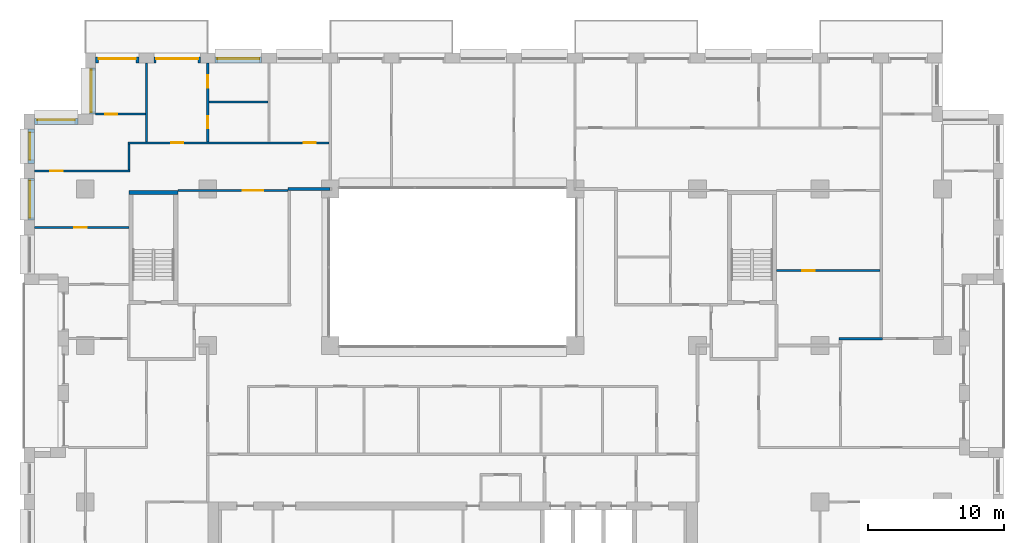
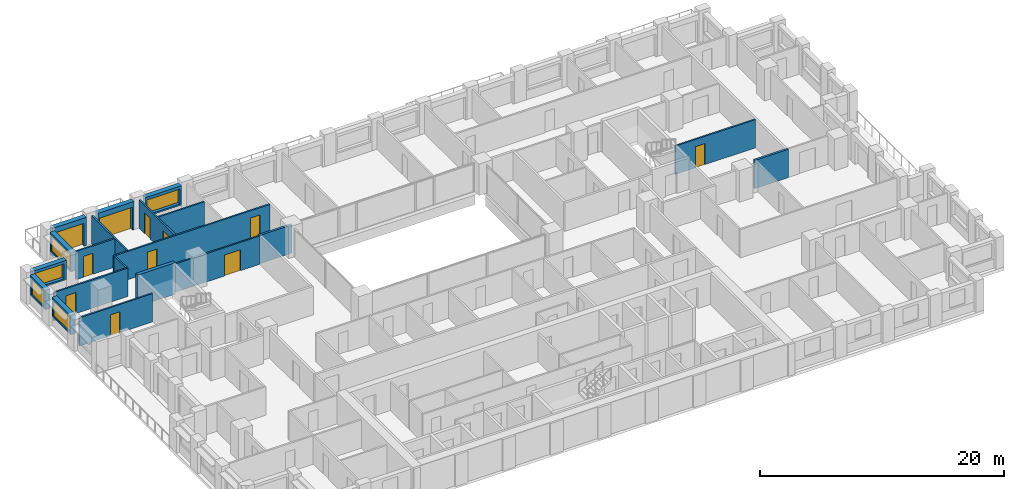
# One storey, part 12 of 16: 20 walls, 11 doors, 5 windows, 16 openings.
"""IFC4 building model written with IfcOpenShell, lengths in metres."""

from ifc_helpers import new_model, si_unit, direction, frame, frame_2d, origin, place, context, subcontext, project, spatial, rectangle, extrude, material, layer, layer_set, type_object, element, fill, save


model = new_model("IFC4")

# Units and contexts
model_context = context("Model", 3, precision=1e-05, world=origin(), true_north=direction((0.0, 1.0)))
body_context = subcontext(model_context, "Body", "Model", "MODEL_VIEW")
ifc_project = project(units=[si_unit("LENGTHUNIT", "METRE"), si_unit("AREAUNIT", "SQUARE_METRE"), si_unit("VOLUMEUNIT", "CUBIC_METRE"), si_unit("PLANEANGLEUNIT", "RADIAN"), si_unit("MASSUNIT", "GRAM", prefix="KILO")], contexts=[model_context])

# Site, building, storey
site_placement = place(None, origin())
site = spatial("IfcSite", under=ifc_project, at=site_placement, CompositionType="ELEMENT")
building_placement = place(site_placement, origin())
building = spatial("IfcBuilding", under=site, at=building_placement, Name="Brigalow Station Residences", CompositionType="ELEMENT")
storey_placement = place(building_placement, frame((0.0, 0.0, 93.0)))
storey = spatial("IfcBuildingStorey", under=building, at=storey_placement, Name="L26", CompositionType="ELEMENT", Elevation=93.0)

# Wall, opening, window
ifc_material_1 = material(Name="Clay brick masonry", Category="masonry")
ifc_layer_1 = layer(ifc_material_1, 0.449951171875)
ifc_layer_set_1 = layer_set([ifc_layer_1], Name="BRICK INFILL WALL 450")
wall_type_1 = type_object("IfcWallType", Name="BRICK INFILL WALL 450", PredefinedType="SOLIDWALL", material=ifc_layer_set_1)
wall_1_placement = place(storey_placement, frame((21.949951171875, 44.97509765625, 0.89990234375), z_axis=(0.0, 0.0, 1.0), x_axis=(-1.0, 0.0, 0.0)))
wall_1 = element("IfcWall", 1, at=wall_1_placement, inside=storey, type_object=wall_type_1, Name="L26/ewall/W-L26-34", PredefinedType="SOLIDWALL", context=body_context, shape_type="SweptSolid", body=[
    extrude(rectangle(XDim=3.39990234375, YDim=0.449951171875, at=frame_2d((1.699951171875, 0.0))), origin(), (0.0, 0.0, 1.0), 1.93017578125),
])
opening_1_placement = place(wall_1_placement, frame((0.14990234375, 0.0, 0.14990234375)))
opening_1 = element("IfcOpeningElement", 2, at=opening_1_placement, cuts=wall_1, Name="Opening WT-8", PredefinedType="OPENING", context=body_context, shape_type="SweptSolid", body=[
    extrude(rectangle(XDim=3.10009765625, YDim=1.5, at=frame_2d((1.550048828125, 0.75))), frame((0.0, 0.23486328125, 0.0), z_axis=(0.0, -1.0, 0.0), x_axis=(1.0, 0.0, 0.0)), (0.0, 0.0, 1.0), 0.469970703125),
])
ifc_material_2 = material(Name="Anodised aluminium frame with double glazing", Category="aluminium")
window_type_1 = type_object("IfcWindowType", Name="WINDOW 3100x1500", PartitioningType="SINGLE_PANEL", PredefinedType="WINDOW", material=ifc_material_2)
window_1_placement = place(opening_1_placement, origin())
window_1 = element("IfcWindow", 3, at=window_1_placement, inside=storey, type_object=window_type_1, Name="L26/window/W-L26-34", OverallHeight=1.5, OverallWidth=3.10009765625, PartitioningType="SINGLE_PANEL", PredefinedType="WINDOW", context=body_context, shape_type="SweptSolid", body=[
    extrude(rectangle(XDim=3.10009765625, YDim=1.5, at=frame_2d((1.550048828125, 0.75))), frame((0.0, -0.06494140625, 0.0), z_axis=(0.0, -1.0, 0.0), x_axis=(1.0, 0.0, 0.0)), (0.0, 0.0, 1.0), 0.06005859375),
])
fill(opening_1, window_1)

# Wall, opening, door
wall_2_placement = place(storey_placement, frame((17.449951171875, 44.97509765625, 0.0), z_axis=(0.0, 0.0, 1.0), x_axis=(-1.0, 0.0, 0.0)))
wall_2 = element("IfcWall", 4, at=wall_2_placement, inside=storey, type_object=wall_type_1, Name="L26/ewall/W-L26-35", PredefinedType="SOLIDWALL", context=body_context, shape_type="SweptSolid", body=[
    extrude(rectangle(XDim=3.39990234375, YDim=0.449951171875, at=frame_2d((1.699951171875, 0.0))), origin(), (0.0, 0.0, 1.0), 2.830078125),
])
opening_2_placement = place(wall_2_placement, frame((0.14990234375, 0.0, 0.0)))
opening_2 = element("IfcOpeningElement", 5, at=opening_2_placement, cuts=wall_2, Name="Opening D-B3100", PredefinedType="OPENING", context=body_context, shape_type="SweptSolid", body=[
    extrude(rectangle(XDim=3.10009765625, YDim=2.300048828125, at=frame_2d((1.550048828125, 1.14990234375))), frame((0.0, 0.23486328125, 0.0), z_axis=(0.0, -1.0, 0.0), x_axis=(1.0, 0.0, 0.0)), (0.0, 0.0, 1.0), 0.469970703125),
])
ifc_material_3 = material(Name="Anodised aluminium frame with double glazing", Category="aluminium")
door_type_1 = type_object("IfcDoorType", Name="BALCONY SLIDING DOOR 3100x2300", OperationType="SLIDING_TO_LEFT", PredefinedType="DOOR", material=ifc_material_3)
door_1_placement = place(opening_2_placement, origin())
door_1 = element("IfcDoor", 6, at=door_1_placement, inside=storey, type_object=door_type_1, Name="L26/balcony-door/W-L26-35", OperationType="SLIDING_TO_LEFT", OverallHeight=2.300048828125, OverallWidth=3.10009765625, PredefinedType="DOOR", context=body_context, shape_type="SweptSolid", body=[
    extrude(rectangle(XDim=3.10009765625, YDim=2.300048828125, at=frame_2d((1.550048828125, 1.14990234375))), frame((0.0, -0.06982421875, 0.0), z_axis=(0.0, -1.0, 0.0), x_axis=(1.0, 0.0, 0.0)), (0.0, 0.0, 1.0), 0.050048828125),
])
fill(opening_2, door_1)

wall_3_placement = place(storey_placement, frame((12.949951171875, 44.97509765625, 0.0), z_axis=(0.0, 0.0, 1.0), x_axis=(-1.0, 0.0, 0.0)))
wall_3 = element("IfcWall", 7, at=wall_3_placement, inside=storey, type_object=wall_type_1, Name="L26/ewall/W-L26-36", PredefinedType="SOLIDWALL", context=body_context, shape_type="SweptSolid", body=[
    extrude(rectangle(XDim=3.199951171875, YDim=0.449951171875, at=frame_2d((1.60009765625, 0.0))), origin(), (0.0, 0.0, 1.0), 2.830078125),
])
opening_3_placement = place(wall_3_placement, frame((0.22509765625, 0.0, 0.0)))
opening_3 = element("IfcOpeningElement", 8, at=opening_3_placement, cuts=wall_3, Name="Opening D-B2750", PredefinedType="OPENING", context=body_context, shape_type="SweptSolid", body=[
    extrude(rectangle(XDim=2.75, YDim=2.300048828125, at=frame_2d((1.375, 1.14990234375))), frame((0.0, 0.23486328125, 0.0), z_axis=(0.0, -1.0, 0.0), x_axis=(1.0, 0.0, 0.0)), (0.0, 0.0, 1.0), 0.469970703125),
])
ifc_material_4 = material(Name="Anodised aluminium frame with double glazing", Category="aluminium")
door_type_2 = type_object("IfcDoorType", Name="BALCONY SLIDING DOOR 2750x2300", OperationType="SLIDING_TO_LEFT", PredefinedType="DOOR", material=ifc_material_4)
door_2_placement = place(opening_3_placement, origin())
door_2 = element("IfcDoor", 9, at=door_2_placement, inside=storey, type_object=door_type_2, Name="L26/balcony-door/W-L26-36", OperationType="SLIDING_TO_LEFT", OverallHeight=2.300048828125, OverallWidth=2.75, PredefinedType="DOOR", context=body_context, shape_type="SweptSolid", body=[
    extrude(rectangle(XDim=2.75, YDim=2.300048828125, at=frame_2d((1.375, 1.14990234375))), frame((0.0, -0.06982421875, 0.0), z_axis=(0.0, -1.0, 0.0), x_axis=(1.0, 0.0, 0.0)), (0.0, 0.0, 1.0), 0.050048828125),
])
fill(opening_3, door_2)

# Wall, opening, window
wall_4_placement = place(storey_placement, frame((9.52490234375, 44.39990234375, 0.89990234375), z_axis=(0.0, 0.0, 1.0), x_axis=(0.0, -1.0, 0.0)))
wall_4 = element("IfcWall", 10, at=wall_4_placement, inside=storey, type_object=wall_type_1, Name="L26/ewall/W-L26-37", PredefinedType="SOLIDWALL", context=body_context, shape_type="SweptSolid", body=[
    extrude(rectangle(XDim=3.39990234375, YDim=0.449951171875, at=frame_2d((1.699951171875, 0.0))), origin(), (0.0, 0.0, 1.0), 1.93017578125),
])
opening_4_placement = place(wall_4_placement, frame((0.14990234375, 0.0, 0.14990234375)))
opening_4 = element("IfcOpeningElement", 11, at=opening_4_placement, cuts=wall_4, Name="Opening WT-8", PredefinedType="OPENING", context=body_context, shape_type="SweptSolid", body=[
    extrude(rectangle(XDim=3.10009765625, YDim=1.5, at=frame_2d((1.550048828125, 0.75))), frame((0.0, 0.23486328125, 0.0), z_axis=(0.0, -1.0, 0.0), x_axis=(1.0, 0.0, 0.0)), (0.0, 0.0, 1.0), 0.469970703125),
])
window_2_placement = place(opening_4_placement, origin())
window_2 = element("IfcWindow", 12, at=window_2_placement, inside=storey, type_object=window_type_1, Name="L26/window/W-L26-37", OverallHeight=1.5, OverallWidth=3.10009765625, PartitioningType="SINGLE_PANEL", PredefinedType="WINDOW", context=body_context, shape_type="SweptSolid", body=[
    extrude(rectangle(XDim=3.10009765625, YDim=1.5, at=frame_2d((1.550048828125, 0.75))), frame((0.0, -0.06494140625, 0.0), z_axis=(0.0, -1.0, 0.0), x_axis=(1.0, 0.0, 0.0)), (0.0, 0.0, 1.0), 0.06005859375),
])
fill(opening_4, window_2)

wall_5_placement = place(storey_placement, frame((8.449951171875, 40.47509765625, 0.89990234375), z_axis=(0.0, 0.0, 1.0), x_axis=(-1.0, 0.0, 0.0)))
wall_5 = element("IfcWall", 13, at=wall_5_placement, inside=storey, type_object=wall_type_1, Name="L26/ewall/W-L26-38", PredefinedType="SOLIDWALL", context=body_context, shape_type="SweptSolid", body=[
    extrude(rectangle(XDim=3.199951171875, YDim=0.449951171875, at=frame_2d((1.60009765625, 0.0))), origin(), (0.0, 0.0, 1.0), 1.93017578125),
])
opening_5_placement = place(wall_5_placement, frame((0.22509765625, 0.0, 0.14990234375)))
opening_5 = element("IfcOpeningElement", 14, at=opening_5_placement, cuts=wall_5, Name="Opening WT-3", PredefinedType="OPENING", context=body_context, shape_type="SweptSolid", body=[
    extrude(rectangle(XDim=2.75, YDim=1.5, at=frame_2d((1.375, 0.75))), frame((0.0, 0.23486328125, 0.0), z_axis=(0.0, -1.0, 0.0), x_axis=(1.0, 0.0, 0.0)), (0.0, 0.0, 1.0), 0.469970703125),
])
ifc_material_5 = material(Name="Anodised aluminium frame with double glazing", Category="aluminium")
window_type_2 = type_object("IfcWindowType", Name="WINDOW 2750x1500", PartitioningType="SINGLE_PANEL", PredefinedType="WINDOW", material=ifc_material_5)
window_3_placement = place(opening_5_placement, origin())
window_3 = element("IfcWindow", 15, at=window_3_placement, inside=storey, type_object=window_type_2, Name="L26/window/W-L26-38", OverallHeight=1.5, OverallWidth=2.75, PartitioningType="SINGLE_PANEL", PredefinedType="WINDOW", context=body_context, shape_type="SweptSolid", body=[
    extrude(rectangle(XDim=2.75, YDim=1.5, at=frame_2d((1.375, 0.75))), frame((0.0, -0.06494140625, 0.0), z_axis=(0.0, -1.0, 0.0), x_axis=(1.0, 0.0, 0.0)), (0.0, 0.0, 1.0), 0.06005859375),
])
fill(opening_5, window_3)

wall_6_placement = place(storey_placement, frame((5.02490234375, 39.89990234375, 0.89990234375), z_axis=(0.0, 0.0, 1.0), x_axis=(0.0, -1.0, 0.0)))
wall_6 = element("IfcWall", 16, at=wall_6_placement, inside=storey, type_object=wall_type_1, Name="L26/ewall/W-L26-39", PredefinedType="SOLIDWALL", context=body_context, shape_type="SweptSolid", body=[
    extrude(rectangle(XDim=2.516845703125, YDim=0.449951171875, at=frame_2d((1.25830078125, 0.0))), origin(), (0.0, 0.0, 1.0), 1.93017578125),
])
opening_6_placement = place(wall_6_placement, frame((0.258544921875, 0.0, 0.14990234375)))
opening_6 = element("IfcOpeningElement", 17, at=opening_6_placement, cuts=wall_6, Name="Opening WT-7", PredefinedType="OPENING", context=body_context, shape_type="SweptSolid", body=[
    extrude(rectangle(XDim=2.0, YDim=1.5, at=frame_2d((1.0, 0.75))), frame((0.0, 0.23486328125, 0.0), z_axis=(0.0, -1.0, 0.0), x_axis=(1.0, 0.0, 0.0)), (0.0, 0.0, 1.0), 0.469970703125),
])
ifc_material_6 = material(Name="Anodised aluminium frame with double glazing", Category="aluminium")
window_type_3 = type_object("IfcWindowType", Name="WINDOW 2000x1500", PartitioningType="SINGLE_PANEL", PredefinedType="WINDOW", material=ifc_material_6)
window_4_placement = place(opening_6_placement, origin())
window_4 = element("IfcWindow", 18, at=window_4_placement, inside=storey, type_object=window_type_3, Name="L26/window/W-L26-39", OverallHeight=1.5, OverallWidth=2.0, PartitioningType="SINGLE_PANEL", PredefinedType="WINDOW", context=body_context, shape_type="SweptSolid", body=[
    extrude(rectangle(XDim=2.0, YDim=1.5, at=frame_2d((1.0, 0.75))), frame((0.0, -0.06494140625, 0.0), z_axis=(0.0, -1.0, 0.0), x_axis=(1.0, 0.0, 0.0)), (0.0, 0.0, 1.0), 0.06005859375),
])
fill(opening_6, window_4)

wall_7_placement = place(storey_placement, frame((5.02490234375, 36.282958984375, 0.89990234375), z_axis=(0.0, 0.0, 1.0), x_axis=(0.0, -1.0, 0.0)))
wall_7 = element("IfcWall", 19, at=wall_7_placement, inside=storey, type_object=wall_type_1, Name="L26/ewall/W-L26-40", PredefinedType="SOLIDWALL", context=body_context, shape_type="SweptSolid", body=[
    extrude(rectangle(XDim=3.06591796875, YDim=0.449951171875, at=frame_2d((1.532958984375, 0.0))), origin(), (0.0, 0.0, 1.0), 1.93017578125),
])
opening_7_placement = place(wall_7_placement, frame((0.157958984375, 0.0, 0.14990234375)))
opening_7 = element("IfcOpeningElement", 20, at=opening_7_placement, cuts=wall_7, Name="Opening WT-3", PredefinedType="OPENING", context=body_context, shape_type="SweptSolid", body=[
    extrude(rectangle(XDim=2.75, YDim=1.5, at=frame_2d((1.375, 0.75))), frame((0.0, 0.23486328125, 0.0), z_axis=(0.0, -1.0, 0.0), x_axis=(1.0, 0.0, 0.0)), (0.0, 0.0, 1.0), 0.469970703125),
])
window_5_placement = place(opening_7_placement, origin())
window_5 = element("IfcWindow", 21, at=window_5_placement, inside=storey, type_object=window_type_2, Name="L26/window/W-L26-40", OverallHeight=1.5, OverallWidth=2.75, PartitioningType="SINGLE_PANEL", PredefinedType="WINDOW", context=body_context, shape_type="SweptSolid", body=[
    extrude(rectangle(XDim=2.75, YDim=1.5, at=frame_2d((1.375, 0.75))), frame((0.0, -0.06494140625, 0.0), z_axis=(0.0, -1.0, 0.0), x_axis=(1.0, 0.0, 0.0)), (0.0, 0.0, 1.0), 0.06005859375),
])
fill(opening_7, window_5)

# Wall
ifc_material_7 = material(Name="Concrete C65", Category="concrete")
ifc_layer_2 = layer(ifc_material_7, 0.300048828125)
ifc_layer_set_2 = layer_set([ifc_layer_2], Name="CORE SHEAR WALL 300 C65")
wall_type_2 = type_object("IfcWallType", Name="CORE SHEAR WALL 300 C65", PredefinedType="SHEAR", material=ifc_layer_set_2)
wall_8_placement = place(storey_placement, frame((12.199951171875, 35.25, 0.0), z_axis=(0.0, 0.0, 1.0), x_axis=(1.0, 0.0, 0.0)))
element("IfcWall", 22, at=wall_8_placement, inside=storey, type_object=wall_type_2, Name="CORE WALL ST-S1-N L26", PredefinedType="SHEAR", context=body_context, shape_type="SweptSolid", body=[
    extrude(rectangle(XDim=3.60009765625, YDim=0.300048828125, at=frame_2d((1.800048828125, 0.0))), origin(), (0.0, 0.0, 1.0), 3.14990234375),
])

# Wall, opening, door
ifc_material_8 = material(Name="Plasterboard on steel stud partition", Category="steel")
ifc_layer_3 = layer(ifc_material_8, 0.14990234375)
ifc_layer_set_3 = layer_set([ifc_layer_3], Name="FLAT PARTITION 150")
wall_type_3 = type_object("IfcWallType", Name="FLAT PARTITION 150", PredefinedType="PARTITIONING", material=ifc_layer_set_3)
wall_9_placement = place(storey_placement, frame((5.25, 32.6669921875, 0.0), z_axis=(0.0, 0.0, 1.0), x_axis=(1.0, 0.0, 0.0)))
wall_9 = element("IfcWall", 23, at=wall_9_placement, inside=storey, type_object=wall_type_3, Name="PW-2B23", PredefinedType="PARTITIONING", context=body_context, shape_type="SweptSolid", body=[
    extrude(rectangle(XDim=6.949951171875, YDim=0.14990234375, at=frame_2d((3.47509765625, 0.0))), origin(), (0.0, 0.0, 1.0), 2.830078125),
])
opening_8_placement = place(wall_9_placement, frame((2.949951171875, 0.0, 0.0)))
opening_8 = element("IfcOpeningElement", 24, at=opening_8_placement, cuts=wall_9, Name="Opening D-2B12", PredefinedType="OPENING", context=body_context, shape_type="SweptSolid", body=[
    extrude(rectangle(XDim=0.89990234375, YDim=2.10009765625, at=frame_2d((0.449951171875, 1.050048828125))), frame((0.0, 0.0849609375, 0.0), z_axis=(0.0, -1.0, 0.0), x_axis=(1.0, 0.0, 0.0)), (0.0, 0.0, 1.0), 0.169921875),
])
ifc_material_9 = material(Name="Solid-core timber door leaf", Category="wood")
door_type_3 = type_object("IfcDoorType", Name="INTERNAL DOOR 900 x 2100", OperationType="SINGLE_SWING_LEFT", PredefinedType="DOOR", material=ifc_material_9)
door_3_placement = place(opening_8_placement, frame((0.89990234375, 0.0, 0.0), z_axis=(0.0, 0.0, 1.0), x_axis=(-1.0, 0.0, 0.0)))
door_3 = element("IfcDoor", 25, at=door_3_placement, inside=storey, type_object=door_type_3, Name="D-2B12", OperationType="SINGLE_SWING_RIGHT", OverallHeight=2.10009765625, OverallWidth=0.89990234375, PredefinedType="DOOR", context=body_context, shape_type="SweptSolid", body=[
    extrude(rectangle(XDim=0.89990234375, YDim=2.10009765625, at=frame_2d((0.449951171875, 1.050048828125))), frame((0.0, 0.02490234375, 0.0), z_axis=(0.0, -1.0, 0.0), x_axis=(1.0, 0.0, 0.0)), (0.0, 0.0, 1.0), 0.050048828125),
])
fill(opening_8, door_3)

wall_10_placement = place(storey_placement, frame((5.25, 36.8330078125, 0.0), z_axis=(0.0, 0.0, 1.0), x_axis=(1.0, 0.0, 0.0)))
wall_10 = element("IfcWall", 26, at=wall_10_placement, inside=storey, type_object=wall_type_3, Name="PW-2B24", PredefinedType="PARTITIONING", context=body_context, shape_type="SweptSolid", body=[
    extrude(rectangle(XDim=7.02490234375, YDim=0.14990234375, at=frame_2d((3.512451171875, 0.0))), origin(), (0.0, 0.0, 1.0), 2.830078125),
])
opening_9_placement = place(wall_10_placement, frame((1.175048828125, 0.0, 0.0)))
opening_9 = element("IfcOpeningElement", 27, at=opening_9_placement, cuts=wall_10, Name="Opening D-2B13", PredefinedType="OPENING", context=body_context, shape_type="SweptSolid", body=[
    extrude(rectangle(XDim=0.89990234375, YDim=2.10009765625, at=frame_2d((0.449951171875, 1.050048828125))), frame((0.0, 0.0849609375, 0.0), z_axis=(0.0, -1.0, 0.0), x_axis=(1.0, 0.0, 0.0)), (0.0, 0.0, 1.0), 0.169921875),
])
door_4_placement = place(opening_9_placement, origin())
door_4 = element("IfcDoor", 28, at=door_4_placement, inside=storey, type_object=door_type_3, Name="D-2B13", OperationType="SINGLE_SWING_LEFT", OverallHeight=2.10009765625, OverallWidth=0.89990234375, PredefinedType="DOOR", context=body_context, shape_type="SweptSolid", body=[
    extrude(rectangle(XDim=0.89990234375, YDim=2.10009765625, at=frame_2d((0.449951171875, 1.050048828125))), frame((0.0, 0.02490234375, 0.0), z_axis=(0.0, -1.0, 0.0), x_axis=(1.0, 0.0, 0.0)), (0.0, 0.0, 1.0), 0.050048828125),
])
fill(opening_9, door_4)

# Wall, openings, doors
wall_11_placement = place(storey_placement, frame((12.125, 38.89990234375, 0.0), z_axis=(0.0, 0.0, 1.0), x_axis=(1.0, 0.0, 0.0)))
wall_11 = element("IfcWall", 29, at=wall_11_placement, inside=storey, type_object=wall_type_3, Name="PW-2B26", PredefinedType="PARTITIONING", context=body_context, shape_type="SweptSolid", body=[
    extrude(rectangle(XDim=14.77490234375, YDim=0.14990234375, at=frame_2d((7.387451171875, 0.0))), origin(), (0.0, 0.0, 1.0), 2.830078125),
])
opening_10_placement = place(wall_11_placement, frame((3.175048828125, 0.0, 0.0)))
opening_10 = element("IfcOpeningElement", 30, at=opening_10_placement, cuts=wall_11, Name="Opening D-2B15", PredefinedType="OPENING", context=body_context, shape_type="SweptSolid", body=[
    extrude(rectangle(XDim=0.89990234375, YDim=2.10009765625, at=frame_2d((0.449951171875, 1.050048828125))), frame((0.0, 0.0849609375, 0.0), z_axis=(0.0, -1.0, 0.0), x_axis=(1.0, 0.0, 0.0)), (0.0, 0.0, 1.0), 0.169921875),
])
opening_11_placement = place(wall_11_placement, frame((12.925048828125, 0.0, 0.0)))
opening_11 = element("IfcOpeningElement", 31, at=opening_11_placement, cuts=wall_11, Name="Opening D-2B19", PredefinedType="OPENING", context=body_context, shape_type="SweptSolid", body=[
    extrude(rectangle(XDim=0.89990234375, YDim=2.10009765625, at=frame_2d((0.449951171875, 1.050048828125))), frame((0.0, 0.0849609375, 0.0), z_axis=(0.0, -1.0, 0.0), x_axis=(1.0, 0.0, 0.0)), (0.0, 0.0, 1.0), 0.169921875),
])
door_5_placement = place(opening_10_placement, origin())
door_5 = element("IfcDoor", 32, at=door_5_placement, inside=storey, type_object=door_type_3, Name="D-2B15", OperationType="SINGLE_SWING_RIGHT", OverallHeight=2.10009765625, OverallWidth=0.89990234375, PredefinedType="DOOR", context=body_context, shape_type="SweptSolid", body=[
    extrude(rectangle(XDim=0.89990234375, YDim=2.10009765625, at=frame_2d((0.449951171875, 1.050048828125))), frame((0.0, 0.02490234375, 0.0), z_axis=(0.0, -1.0, 0.0), x_axis=(1.0, 0.0, 0.0)), (0.0, 0.0, 1.0), 0.050048828125),
])
fill(opening_10, door_5)
door_6_placement = place(opening_11_placement, origin())
door_6 = element("IfcDoor", 33, at=door_6_placement, inside=storey, type_object=door_type_3, Name="D-2B19", OperationType="SINGLE_SWING_RIGHT", OverallHeight=2.10009765625, OverallWidth=0.89990234375, PredefinedType="DOOR", context=body_context, shape_type="SweptSolid", body=[
    extrude(rectangle(XDim=0.89990234375, YDim=2.10009765625, at=frame_2d((0.449951171875, 1.050048828125))), frame((0.0, 0.02490234375, 0.0), z_axis=(0.0, -1.0, 0.0), x_axis=(1.0, 0.0, 0.0)), (0.0, 0.0, 1.0), 0.050048828125),
])
fill(opening_11, door_6)

# Wall, opening, door
wall_12_placement = place(storey_placement, frame((15.800048828125, 35.39990234375, 0.0), z_axis=(0.0, 0.0, 1.0), x_axis=(1.0, 0.0, 0.0)))
wall_12 = element("IfcWall", 34, at=wall_12_placement, inside=storey, type_object=wall_type_3, Name="PW-2B27", PredefinedType="PARTITIONING", context=body_context, shape_type="SweptSolid", body=[
    extrude(rectangle(XDim=8.099853515625, YDim=0.14990234375, at=frame_2d((4.0498046875, 0.0))), origin(), (0.0, 0.0, 1.0), 2.830078125),
])
opening_12_placement = place(wall_12_placement, frame((4.77490234375, 0.0, 0.0)))
opening_12 = element("IfcOpeningElement", 35, at=opening_12_placement, cuts=wall_12, Name="Opening D-2B18", PredefinedType="OPENING", context=body_context, shape_type="SweptSolid", body=[
    extrude(rectangle(XDim=1.5, YDim=2.10009765625, at=frame_2d((0.75, 1.050048828125))), frame((0.0, 0.0849609375, 0.0), z_axis=(0.0, -1.0, 0.0), x_axis=(1.0, 0.0, 0.0)), (0.0, 0.0, 1.0), 0.169921875),
])
ifc_material_10 = material(Name="Solid-core timber door leaf", Category="wood")
door_type_4 = type_object("IfcDoorType", Name="INTERNAL DOUBLE DOOR 1500 x 2100", OperationType="DOUBLE_DOOR_SINGLE_SWING", PredefinedType="DOOR", material=ifc_material_10)
door_7_placement = place(opening_12_placement, frame((1.5, 0.0, 0.0), z_axis=(0.0, 0.0, 1.0), x_axis=(-1.0, 0.0, 0.0)))
door_7 = element("IfcDoor", 36, at=door_7_placement, inside=storey, type_object=door_type_4, Name="D-2B18", OperationType="DOUBLE_DOOR_SINGLE_SWING", OverallHeight=2.10009765625, OverallWidth=1.5, PredefinedType="DOOR", context=body_context, shape_type="SweptSolid", body=[
    extrude(rectangle(XDim=1.5, YDim=2.10009765625, at=frame_2d((0.75, 1.050048828125))), frame((0.0, 0.02490234375, 0.0), z_axis=(0.0, -1.0, 0.0), x_axis=(1.0, 0.0, 0.0)), (0.0, 0.0, 1.0), 0.050048828125),
])
fill(opening_12, door_7)

wall_13_placement = place(storey_placement, frame((9.75, 41.0, 0.0), z_axis=(0.0, 0.0, 1.0), x_axis=(1.0, 0.0, 0.0)))
wall_13 = element("IfcWall", 37, at=wall_13_placement, inside=storey, type_object=wall_type_3, Name="PW-2B30", PredefinedType="PARTITIONING", context=body_context, shape_type="SweptSolid", body=[
    extrude(rectangle(XDim=3.675048828125, YDim=0.14990234375, at=frame_2d((1.83740234375, 0.0))), origin(), (0.0, 0.0, 1.0), 2.830078125),
])
opening_13_placement = place(wall_13_placement, frame((0.699951171875, 0.0, 0.0)))
opening_13 = element("IfcOpeningElement", 38, at=opening_13_placement, cuts=wall_13, Name="Opening D-2B14", PredefinedType="OPENING", context=body_context, shape_type="SweptSolid", body=[
    extrude(rectangle(XDim=0.89990234375, YDim=2.10009765625, at=frame_2d((0.449951171875, 1.050048828125))), frame((0.0, 0.0849609375, 0.0), z_axis=(0.0, -1.0, 0.0), x_axis=(1.0, 0.0, 0.0)), (0.0, 0.0, 1.0), 0.169921875),
])
door_8_placement = place(opening_13_placement, origin())
door_8 = element("IfcDoor", 39, at=door_8_placement, inside=storey, type_object=door_type_3, Name="D-2B14", OperationType="SINGLE_SWING_LEFT", OverallHeight=2.10009765625, OverallWidth=0.89990234375, PredefinedType="DOOR", context=body_context, shape_type="SweptSolid", body=[
    extrude(rectangle(XDim=0.89990234375, YDim=2.10009765625, at=frame_2d((0.449951171875, 1.050048828125))), frame((0.0, 0.02490234375, 0.0), z_axis=(0.0, -1.0, 0.0), x_axis=(1.0, 0.0, 0.0)), (0.0, 0.0, 1.0), 0.050048828125),
])
fill(opening_13, door_8)

# Wall
wall_14_placement = place(storey_placement, frame((18.074951171875, 41.89990234375, 0.0), z_axis=(0.0, 0.0, 1.0), x_axis=(1.0, 0.0, 0.0)))
element("IfcWall", 40, at=wall_14_placement, inside=storey, type_object=wall_type_3, Name="PW-2B32", PredefinedType="PARTITIONING", context=body_context, shape_type="SweptSolid", body=[
    extrude(rectangle(XDim=4.35009765625, YDim=0.14990234375, at=frame_2d((2.175048828125, 0.0))), origin(), (0.0, 0.0, 1.0), 2.830078125),
])

# Wall, opening, door
wall_15_placement = place(storey_placement, frame((59.800048828125, 29.5, 0.0), z_axis=(0.0, 0.0, 1.0), x_axis=(1.0, 0.0, 0.0)))
wall_15 = element("IfcWall", 41, at=wall_15_placement, inside=storey, type_object=wall_type_3, Name="PW-2B35", PredefinedType="PARTITIONING", context=body_context, shape_type="SweptSolid", body=[
    extrude(rectangle(XDim=7.599853515625, YDim=0.14990234375, at=frame_2d((3.7998046875, 0.0))), origin(), (0.0, 0.0, 1.0), 2.830078125),
])
opening_14_placement = place(wall_15_placement, frame((1.89990234375, 0.0, 0.0)))
opening_14 = element("IfcOpeningElement", 42, at=opening_14_placement, cuts=wall_15, Name="Opening D-2B32", PredefinedType="OPENING", context=body_context, shape_type="SweptSolid", body=[
    extrude(rectangle(XDim=0.89990234375, YDim=2.10009765625, at=frame_2d((0.449951171875, 1.050048828125))), frame((0.0, 0.0849609375, 0.0), z_axis=(0.0, -1.0, 0.0), x_axis=(1.0, 0.0, 0.0)), (0.0, 0.0, 1.0), 0.169921875),
])
door_9_placement = place(opening_14_placement, frame((0.89990234375, 0.0, 0.0), z_axis=(0.0, 0.0, 1.0), x_axis=(-1.0, 0.0, 0.0)))
door_9 = element("IfcDoor", 43, at=door_9_placement, inside=storey, type_object=door_type_3, Name="D-2B32", OperationType="SINGLE_SWING_RIGHT", OverallHeight=2.10009765625, OverallWidth=0.89990234375, PredefinedType="DOOR", context=body_context, shape_type="SweptSolid", body=[
    extrude(rectangle(XDim=0.89990234375, YDim=2.10009765625, at=frame_2d((0.449951171875, 1.050048828125))), frame((0.0, 0.02490234375, 0.0), z_axis=(0.0, -1.0, 0.0), x_axis=(1.0, 0.0, 0.0)), (0.0, 0.0, 1.0), 0.050048828125),
])
fill(opening_14, door_9)

# Wall, openings, doors
wall_16_placement = place(storey_placement, frame((18.0, 38.97509765625, 0.0), z_axis=(0.0, 0.0, 1.0), x_axis=(0.0, 1.0, 0.0)))
wall_16 = element("IfcWall", 44, at=wall_16_placement, inside=storey, type_object=wall_type_3, Name="PW-2B38", PredefinedType="PARTITIONING", context=body_context, shape_type="SweptSolid", body=[
    extrude(rectangle(XDim=5.77490234375, YDim=0.14990234375, at=frame_2d((2.887451171875, 0.0))), origin(), (0.0, 0.0, 1.0), 2.830078125),
])
opening_15_placement = place(wall_16_placement, frame((0.97509765625, 0.0, 0.0)))
opening_15 = element("IfcOpeningElement", 45, at=opening_15_placement, cuts=wall_16, Name="Opening D-2B16", PredefinedType="OPENING", context=body_context, shape_type="SweptSolid", body=[
    extrude(rectangle(XDim=0.89990234375, YDim=2.10009765625, at=frame_2d((0.449951171875, 1.050048828125))), frame((0.0, 0.0849609375, 0.0), z_axis=(0.0, -1.0, 0.0), x_axis=(1.0, 0.0, 0.0)), (0.0, 0.0, 1.0), 0.169921875),
])
opening_16_placement = place(wall_16_placement, frame((3.97509765625, 0.0, 0.0)))
opening_16 = element("IfcOpeningElement", 46, at=opening_16_placement, cuts=wall_16, Name="Opening D-2B17", PredefinedType="OPENING", context=body_context, shape_type="SweptSolid", body=[
    extrude(rectangle(XDim=0.89990234375, YDim=2.10009765625, at=frame_2d((0.449951171875, 1.050048828125))), frame((0.0, 0.0849609375, 0.0), z_axis=(0.0, -1.0, 0.0), x_axis=(1.0, 0.0, 0.0)), (0.0, 0.0, 1.0), 0.169921875),
])
door_10_placement = place(opening_15_placement, frame((0.89990234375, 0.0, 0.0), z_axis=(0.0, 0.0, 1.0), x_axis=(-1.0, 0.0, 0.0)))
door_10 = element("IfcDoor", 47, at=door_10_placement, inside=storey, type_object=door_type_3, Name="D-2B16", OperationType="SINGLE_SWING_RIGHT", OverallHeight=2.10009765625, OverallWidth=0.89990234375, PredefinedType="DOOR", context=body_context, shape_type="SweptSolid", body=[
    extrude(rectangle(XDim=0.89990234375, YDim=2.10009765625, at=frame_2d((0.449951171875, 1.050048828125))), frame((0.0, 0.02490234375, 0.0), z_axis=(0.0, -1.0, 0.0), x_axis=(1.0, 0.0, 0.0)), (0.0, 0.0, 1.0), 0.050048828125),
])
fill(opening_15, door_10)
door_11_placement = place(opening_16_placement, frame((0.89990234375, 0.0, 0.0), z_axis=(0.0, 0.0, 1.0), x_axis=(-1.0, 0.0, 0.0)))
door_11 = element("IfcDoor", 48, at=door_11_placement, inside=storey, type_object=door_type_3, Name="D-2B17", OperationType="SINGLE_SWING_LEFT", OverallHeight=2.10009765625, OverallWidth=0.89990234375, PredefinedType="DOOR", context=body_context, shape_type="SweptSolid", body=[
    extrude(rectangle(XDim=0.89990234375, YDim=2.10009765625, at=frame_2d((0.449951171875, 1.050048828125))), frame((0.0, 0.02490234375, 0.0), z_axis=(0.0, -1.0, 0.0), x_axis=(1.0, 0.0, 0.0)), (0.0, 0.0, 1.0), 0.050048828125),
])
fill(opening_16, door_11)

# Walls
wall_17_placement = place(storey_placement, frame((13.5, 38.97509765625, 0.0), z_axis=(0.0, 0.0, 1.0), x_axis=(0.0, 1.0, 0.0)))
element("IfcWall", 49, at=wall_17_placement, inside=storey, type_object=wall_type_3, Name="PW-2B48", PredefinedType="PARTITIONING", context=body_context, shape_type="SweptSolid", body=[
    extrude(rectangle(XDim=5.77490234375, YDim=0.14990234375, at=frame_2d((2.887451171875, 0.0))), origin(), (0.0, 0.0, 1.0), 2.830078125),
])
wall_18_placement = place(storey_placement, frame((12.199951171875, 36.907958984375, 0.0), z_axis=(0.0, 0.0, 1.0), x_axis=(0.0, 1.0, 0.0)))
element("IfcWall", 50, at=wall_18_placement, inside=storey, type_object=wall_type_3, Name="PW-2B50", PredefinedType="PARTITIONING", context=body_context, shape_type="SweptSolid", body=[
    extrude(rectangle(XDim=1.9169921875, YDim=0.14990234375, at=frame_2d((0.95849609375, 0.0))), origin(), (0.0, 0.0, 1.0), 2.830078125),
])
ifc_material_11 = material(Name="Plasterboard on steel stud partition", Category="steel")
ifc_layer_4 = layer(ifc_material_11, 0.199951171875)
ifc_layer_set_4 = layer_set([ifc_layer_4], Name="PARTY AND CORRIDOR WALL 200")
wall_type_4 = type_object("IfcWallType", Name="PARTY AND CORRIDOR WALL 200", PredefinedType="PARTITIONING", material=ifc_layer_set_4)
wall_19_placement = place(storey_placement, frame((23.89990234375, 35.5, 0.0), z_axis=(0.0, 0.0, 1.0), x_axis=(1.0, 0.0, 0.0)))
element("IfcWall", 51, at=wall_19_placement, inside=storey, type_object=wall_type_4, Name="PW-2B07", PredefinedType="PARTITIONING", context=body_context, shape_type="SweptSolid", body=[
    extrude(rectangle(XDim=3.10009765625, YDim=0.199951171875, at=frame_2d((1.550048828125, 0.0))), origin(), (0.0, 0.0, 1.0), 2.830078125),
])
wall_20_placement = place(storey_placement, frame((64.39990234375, 24.5, 0.0), z_axis=(0.0, 0.0, 1.0), x_axis=(1.0, 0.0, 0.0)))
element("IfcWall", 52, at=wall_20_placement, inside=storey, type_object=wall_type_4, Name="PW-2B20", PredefinedType="PARTITIONING", context=body_context, shape_type="SweptSolid", body=[
    extrude(rectangle(XDim=3.2001953125, YDim=0.199951171875, at=frame_2d((1.60009765625, 0.0))), origin(), (0.0, 0.0, 1.0), 2.830078125),
])

save(model, "model.ifc")
